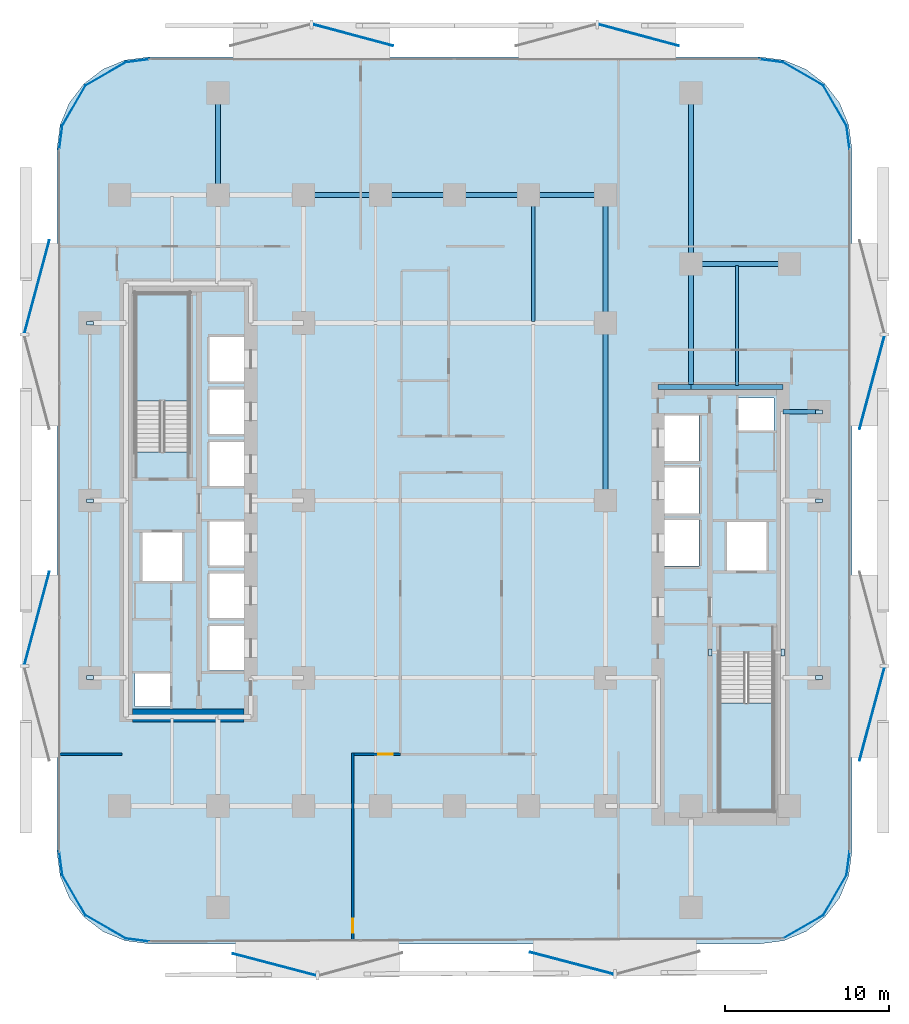
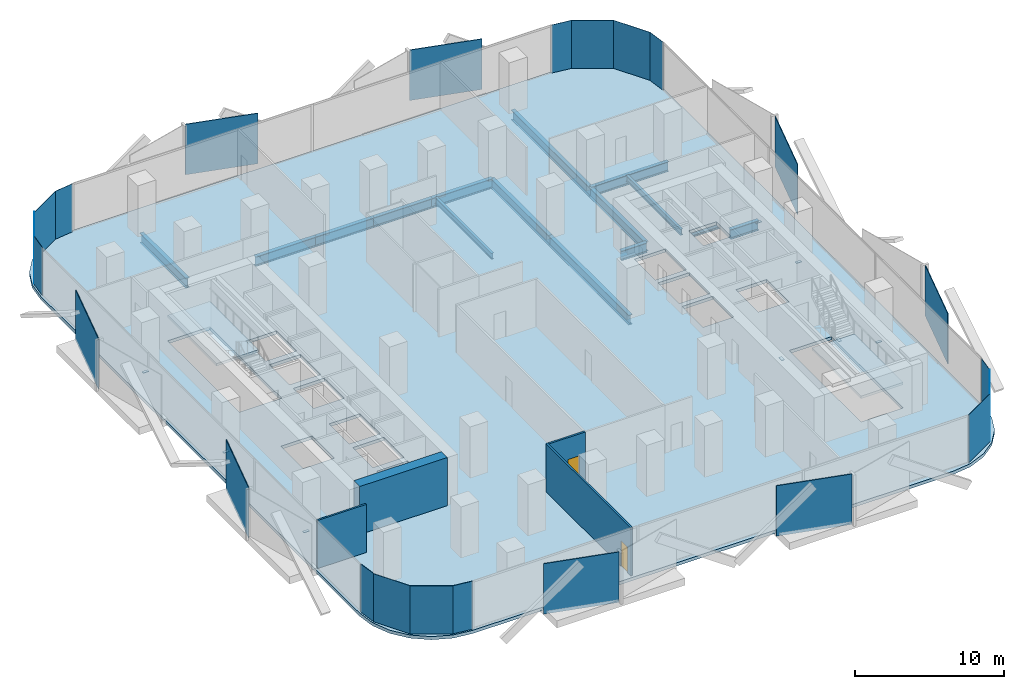
# One storey, part 2 of 15: 31 plates, 15 beams, 4 walls, 3 slabs, 2 doors, 2 openings, 2 elements without a shape of their own.
"""IFC4 building model written with IfcOpenShell, lengths in metres."""

from ifc_helpers import new_model, si_unit, direction, frame, frame_2d, origin, origin_2d, place, context, subcontext, project, spatial, polyline, rectangle, i_section, outline, extrude, material, layer, layer_set, material_profile, profile_set, type_object, element, fill, aggregate, save


model = new_model("IFC4")

# Units and contexts
model_context = context("Model", 3, precision=1e-05, world=origin(), true_north=direction((0.0, 1.0)))
body_context = subcontext(model_context, "Body", "Model", "MODEL_VIEW")
ifc_project = project(units=[si_unit("LENGTHUNIT", "METRE"), si_unit("AREAUNIT", "SQUARE_METRE"), si_unit("VOLUMEUNIT", "CUBIC_METRE"), si_unit("PLANEANGLEUNIT", "RADIAN"), si_unit("MASSUNIT", "GRAM", prefix="KILO")], contexts=[model_context])

# Site, building, storey
site_placement = place(None, origin())
site = spatial("IfcSite", under=ifc_project, at=site_placement, CompositionType="ELEMENT")
building_placement = place(site_placement, origin())
building = spatial("IfcBuilding", under=site, at=building_placement, Name="Khairoan Windgate Tower", CompositionType="ELEMENT")
storey_placement = place(building_placement, frame((0.0, 0.0, 38.60009765625)))
storey = spatial("IfcBuildingStorey", under=building, at=storey_placement, Name="L09", CompositionType="ELEMENT", Elevation=38.60009765625)

# Beams
ifc_material_1 = material(Name="Steel S355", Category="steel")
ifc_material_profile_1 = material_profile(ifc_material_1, i_section(OverallWidth=0.300048828125, OverallDepth=0.800048828125, WebThickness=0.013916015625, FlangeThickness=0.02587890625, FilletRadius=0.028076171875, at=origin_2d()))
ifc_profile_set_1 = profile_set([ifc_material_profile_1], Name="Steel S355")
beam_type_1 = type_object("IfcBeamType", Name="Beam B-G2 H800x300x14x26", PredefinedType="BEAM", material=ifc_profile_set_1)
beam_1_placement = place(storey_placement, frame((20.0, 5.39990234375, -0.66015625), z_axis=(1.0, 0.0, 0.0), x_axis=(0.0, 1.0, 0.0)))
element("IfcBeam", 1, at=beam_1_placement, inside=storey, type_object=beam_type_1, Name="L09 E-W Primary Girder 19", PredefinedType="BEAM", context=body_context, shape_type="SweptSolid", body=[
    extrude(i_section(OverallWidth=0.300048828125, OverallDepth=0.800048828125, WebThickness=0.013916015625, FlangeThickness=0.02587890625, FilletRadius=0.028076171875, at=origin_2d()), origin(), (0.0, 0.0, 1.0), 2.199951171875),
])
beam_2_placement = place(storey_placement, frame((12.39990234375, 6.89990234375, -0.66015625), z_axis=(1.0, 0.0, 0.0), x_axis=(0.0, 1.0, 0.0)))
element("IfcBeam", 2, at=beam_2_placement, inside=storey, type_object=beam_type_1, Name="L09 E-W Primary Girder 20", PredefinedType="BEAM", context=body_context, shape_type="SweptSolid", body=[
    extrude(i_section(OverallWidth=0.300048828125, OverallDepth=0.800048828125, WebThickness=0.013916015625, FlangeThickness=0.02587890625, FilletRadius=0.028076171875, at=origin_2d()), origin(), (0.0, 0.0, 1.0), 2.0),
])
beam_3_placement = place(storey_placement, frame((14.39990234375, 6.89990234375, -0.66015625), z_axis=(1.0, 0.0, 0.0), x_axis=(0.0, 1.0, 0.0)))
element("IfcBeam", 3, at=beam_3_placement, inside=storey, type_object=beam_type_1, Name="L09 E-W Primary Girder 21", PredefinedType="BEAM", context=body_context, shape_type="SweptSolid", body=[
    extrude(i_section(OverallWidth=0.300048828125, OverallDepth=0.800048828125, WebThickness=0.013916015625, FlangeThickness=0.02587890625, FilletRadius=0.028076171875, at=origin_2d()), origin(), (0.0, 0.0, 1.0), 5.60009765625),
])
beam_4_placement = place(storey_placement, frame((14.39990234375, 14.39990234375, -0.66015625), z_axis=(1.0, 0.0, 0.0), x_axis=(0.0, 1.0, 0.0)))
element("IfcBeam", 4, at=beam_4_placement, inside=storey, type_object=beam_type_1, Name="L09 E-W Primary Girder 27", PredefinedType="BEAM", context=body_context, shape_type="SweptSolid", body=[
    extrude(i_section(OverallWidth=0.300048828125, OverallDepth=0.800048828125, WebThickness=0.013916015625, FlangeThickness=0.02587890625, FilletRadius=0.028076171875, at=origin_2d()), origin(), (0.0, 0.0, 1.0), 6.0),
])
beam_5_placement = place(storey_placement, frame((-9.199951171875, 18.60009765625, -0.66015625), z_axis=(1.0, 0.0, 0.0), x_axis=(0.0, 1.0, 0.0)))
element("IfcBeam", 5, at=beam_5_placement, inside=storey, type_object=beam_type_1, Name="L09 E-W Primary Girder 30", PredefinedType="BEAM", context=body_context, shape_type="SweptSolid", body=[
    extrude(i_section(OverallWidth=0.300048828125, OverallDepth=0.800048828125, WebThickness=0.013916015625, FlangeThickness=0.02587890625, FilletRadius=0.028076171875, at=origin_2d()), origin(), (0.0, 0.0, 1.0), 4.699951171875),
])
for number, where, z_axis, x_axis, name in (
    (6, (-4.5, 18.60009765625, -0.66015625), (1.0, 0.0, 0.0), (0.0, 1.0, 0.0), "L09 E-W Primary Girder 31"),
    (7, (0.0, 18.60009765625, -0.66015625), (1.0, 0.0, 0.0), (0.0, 1.0, 0.0), "L09 E-W Primary Girder 32"),
):
    element("IfcBeam", number, at=place(storey_placement, frame(where, z_axis=z_axis, x_axis=x_axis)), inside=storey, type_object=beam_type_1, Name=name, PredefinedType="BEAM", context=body_context, shape_type="SweptSolid", body=[
        extrude(i_section(OverallWidth=0.300048828125, OverallDepth=0.800048828125, WebThickness=0.013916015625, FlangeThickness=0.02587890625, FilletRadius=0.028076171875, at=origin_2d()), origin(), (0.0, 0.0, 1.0), 4.5),
    ])
beam_6_placement = place(storey_placement, frame((4.5, 18.60009765625, -0.66015625), z_axis=(1.0, 0.0, 0.0), x_axis=(0.0, 1.0, 0.0)))
element("IfcBeam", 8, at=beam_6_placement, inside=storey, type_object=beam_type_1, Name="L09 E-W Primary Girder 33", PredefinedType="BEAM", context=body_context, shape_type="SweptSolid", body=[
    extrude(i_section(OverallWidth=0.300048828125, OverallDepth=0.800048828125, WebThickness=0.013916015625, FlangeThickness=0.02587890625, FilletRadius=0.028076171875, at=origin_2d()), origin(), (0.0, 0.0, 1.0), 4.699951171875),
])
beam_7_placement = place(storey_placement, frame((-14.39990234375, 18.60009765625, -0.66015625), z_axis=(0.0, 1.0, 0.0), x_axis=(-1.0, 0.0, 0.0)))
element("IfcBeam", 9, at=beam_7_placement, inside=storey, type_object=beam_type_1, Name="L09 N-S Primary Beam 43", PredefinedType="BEAM", context=body_context, shape_type="SweptSolid", body=[
    extrude(i_section(OverallWidth=0.300048828125, OverallDepth=0.800048828125, WebThickness=0.013916015625, FlangeThickness=0.02587890625, FilletRadius=0.028076171875, at=origin_2d()), origin(), (0.0, 0.0, 1.0), 6.199951171875),
])
beam_8_placement = place(storey_placement, frame((9.199951171875, 0.0, -0.66015625), z_axis=(0.0, 1.0, 0.0), x_axis=(-1.0, 0.0, 0.0)))
element("IfcBeam", 10, at=beam_8_placement, inside=storey, type_object=beam_type_1, Name="L09 N-S Primary Beam 52", PredefinedType="BEAM", context=body_context, shape_type="SweptSolid", body=[
    extrude(i_section(OverallWidth=0.300048828125, OverallDepth=0.800048828125, WebThickness=0.013916015625, FlangeThickness=0.02587890625, FilletRadius=0.028076171875, at=origin_2d()), origin(), (0.0, 0.0, 1.0), 10.800048828125),
])
beam_9_placement = place(storey_placement, frame((9.199951171875, 10.800048828125, -0.66015625), z_axis=(0.0, 1.0, 0.0), x_axis=(-1.0, 0.0, 0.0)))
element("IfcBeam", 11, at=beam_9_placement, inside=storey, type_object=beam_type_1, Name="L09 N-S Primary Beam 53", PredefinedType="BEAM", context=body_context, shape_type="SweptSolid", body=[
    extrude(i_section(OverallWidth=0.300048828125, OverallDepth=0.800048828125, WebThickness=0.013916015625, FlangeThickness=0.02587890625, FilletRadius=0.028076171875, at=origin_2d()), origin(), (0.0, 0.0, 1.0), 7.800048828125),
])
beam_10_placement = place(storey_placement, frame((14.39990234375, 6.89990234375, -0.66015625), z_axis=(0.0, 1.0, 0.0), x_axis=(-1.0, 0.0, 0.0)))
element("IfcBeam", 12, at=beam_10_placement, inside=storey, type_object=beam_type_1, Name="L09 N-S Primary Beam 56", PredefinedType="BEAM", context=body_context, shape_type="SweptSolid", body=[
    extrude(i_section(OverallWidth=0.300048828125, OverallDepth=0.800048828125, WebThickness=0.013916015625, FlangeThickness=0.02587890625, FilletRadius=0.028076171875, at=origin_2d()), origin(), (0.0, 0.0, 1.0), 7.5),
])
beam_11_placement = place(storey_placement, frame((14.39990234375, 14.39990234375, -0.66015625), z_axis=(0.0, 1.0, 0.0), x_axis=(-1.0, 0.0, 0.0)))
element("IfcBeam", 13, at=beam_11_placement, inside=storey, type_object=beam_type_1, Name="L09 N-S Primary Beam 57", PredefinedType="BEAM", context=body_context, shape_type="SweptSolid", body=[
    extrude(i_section(OverallWidth=0.300048828125, OverallDepth=0.800048828125, WebThickness=0.013916015625, FlangeThickness=0.02587890625, FilletRadius=0.028076171875, at=origin_2d()), origin(), (0.0, 0.0, 1.0), 10.400146484375),
])
ifc_material_2 = material(Name="Steel S355", Category="steel")
ifc_material_profile_2 = material_profile(ifc_material_2, i_section(OverallWidth=0.199951171875, OverallDepth=0.5, WebThickness=0.010009765625, FlangeThickness=0.01611328125, FilletRadius=0.02001953125, at=origin_2d()))
ifc_profile_set_2 = profile_set([ifc_material_profile_2], Name="Steel S355")
beam_type_2 = type_object("IfcBeamType", Name="Beam J-S2 H500x200x10x16", PredefinedType="JOIST", material=ifc_profile_set_2)
beam_12_placement = place(storey_placement, frame((4.800048828125, 10.889892578125, -0.510009765625), z_axis=(0.0, 1.0, 0.0), x_axis=(-1.0, 0.0, 0.0)))
element("IfcBeam", 14, at=beam_12_placement, inside=storey, type_object=beam_type_2, Name="L09 Secondary Floor Joist 10", PredefinedType="JOIST", context=body_context, shape_type="SweptSolid", body=[
    extrude(i_section(OverallWidth=0.199951171875, OverallDepth=0.5, WebThickness=0.010009765625, FlangeThickness=0.01611328125, FilletRadius=0.02001953125, at=origin_2d()), origin(), (0.0, 0.0, 1.0), 7.6201171875),
])
beam_13_placement = place(storey_placement, frame((17.199951171875, 6.989990234375, -0.510009765625), z_axis=(0.0, 1.0, 0.0), x_axis=(-1.0, 0.0, 0.0)))
element("IfcBeam", 15, at=beam_13_placement, inside=storey, type_object=beam_type_2, Name="L09 Secondary Floor Joist 11", PredefinedType="JOIST", context=body_context, shape_type="SweptSolid", body=[
    extrude(i_section(OverallWidth=0.199951171875, OverallDepth=0.5, WebThickness=0.010009765625, FlangeThickness=0.01611328125, FilletRadius=0.02001953125, at=origin_2d()), origin(), (0.0, 0.0, 1.0), 7.320068359375),
])

# Plates
ifc_material_3 = material(Name="Low-E Solar Control Laminated Glass", Category="glass")
ifc_layer_1 = layer(ifc_material_3, 0.030029296875, Name="Low-E Solar Control Laminated Glass")
ifc_layer_set_1 = layer_set([ifc_layer_1], Name="Low-E Solar Control Laminated Glass")
plate_type_1 = type_object("IfcPlateType", Name="Aerodynamic Wind-Corner Curved Glazing Plate", PredefinedType="USERDEFINED", material=ifc_layer_set_1)
plate_placement = place(storey_placement, frame((-19.302001953125, -26.766357421875, 0.0), z_axis=(0.0, 0.0, 1.0), x_axis=(-0.991444861374, 0.13052619222, 0.0)))
element("IfcPlate", 16, at=plate_placement, inside=storey, type_object=plate_type_1, Name="L09 Aerodynamic Wind-Corner Curved Glazing Panel 2", ObjectType="GLAZING PANEL", PredefinedType="USERDEFINED", context=body_context, shape_type="SweptSolid", body=[
    extrude(rectangle(XDim=1.474365234375, YDim=0.028076171875, at=origin_2d()), origin(), (0.0, 0.0, 1.0), 3.93994140625),
])
for number, where, z_axis, x_axis, name in (
    (17, (-21.236328125, -25.96630859375, 0.0), (0.0, 0.0, 1.0), (-0.866025403784, 0.5, 0.0), "L09 Aerodynamic Wind-Corner Curved Glazing Panel 3"),
    (18, (-23.16650390625, -24.03662109375, 0.0), (0.0, 0.0, 1.0), (-0.5, 0.866025403784, 0.0), "L09 Aerodynamic Wind-Corner Curved Glazing Panel 4"),
):
    element("IfcPlate", number, at=place(storey_placement, frame(where, z_axis=z_axis, x_axis=x_axis)), inside=storey, type_object=plate_type_1, Name=name, ObjectType="GLAZING PANEL", PredefinedType="USERDEFINED", context=body_context, shape_type="SweptSolid", body=[
        extrude(rectangle(XDim=2.86572265625, YDim=0.028076171875, at=origin_2d()), origin(), (0.0, 0.0, 1.0), 3.93994140625),
    ])
for number, where, z_axis, x_axis, name in (
    (19, (-23.96630859375, -22.101806640625, 0.0), (0.0, 0.0, 1.0), (-0.13052619222, 0.991444861374, 0.0), "L09 Aerodynamic Wind-Corner Curved Glazing Panel 5"),
    (20, (-23.96630859375, 22.101806640625, 0.0), (0.0, 0.0, 1.0), (0.13052619222, 0.991444861374, 0.0), "L09 Aerodynamic Wind-Corner Curved Glazing Panel 7"),
):
    element("IfcPlate", number, at=place(storey_placement, frame(where, z_axis=z_axis, x_axis=x_axis)), inside=storey, type_object=plate_type_1, Name=name, ObjectType="GLAZING PANEL", PredefinedType="USERDEFINED", context=body_context, shape_type="SweptSolid", body=[
        extrude(rectangle(XDim=1.474365234375, YDim=0.028076171875, at=origin_2d()), origin(), (0.0, 0.0, 1.0), 3.93994140625),
    ])
for number, where, z_axis, x_axis, name in (
    (21, (-23.16650390625, 24.03662109375, 0.0), (0.0, 0.0, 1.0), (0.5, 0.866025403784, 0.0), "L09 Aerodynamic Wind-Corner Curved Glazing Panel 8"),
    (22, (-21.236328125, 25.96630859375, 0.0), (0.0, 0.0, 1.0), (0.866025403784, 0.5, 0.0), "L09 Aerodynamic Wind-Corner Curved Glazing Panel 9"),
):
    element("IfcPlate", number, at=place(storey_placement, frame(where, z_axis=z_axis, x_axis=x_axis)), inside=storey, type_object=plate_type_1, Name=name, ObjectType="GLAZING PANEL", PredefinedType="USERDEFINED", context=body_context, shape_type="SweptSolid", body=[
        extrude(rectangle(XDim=2.86572265625, YDim=0.028076171875, at=origin_2d()), origin(), (0.0, 0.0, 1.0), 3.93994140625),
    ])
for number, where, z_axis, x_axis, name in (
    (23, (-19.302001953125, 26.766357421875, 0.0), (0.0, 0.0, 1.0), (0.991444861374, 0.13052619222, 0.0), "L09 Aerodynamic Wind-Corner Curved Glazing Panel 10"),
    (24, (19.302001953125, 26.766357421875, 0.0), (0.0, 0.0, 1.0), (0.991444861374, -0.13052619222, 0.0), "L09 Aerodynamic Wind-Corner Curved Glazing Panel 12"),
):
    element("IfcPlate", number, at=place(storey_placement, frame(where, z_axis=z_axis, x_axis=x_axis)), inside=storey, type_object=plate_type_1, Name=name, ObjectType="GLAZING PANEL", PredefinedType="USERDEFINED", context=body_context, shape_type="SweptSolid", body=[
        extrude(rectangle(XDim=1.474365234375, YDim=0.028076171875, at=origin_2d()), origin(), (0.0, 0.0, 1.0), 3.93994140625),
    ])
for number, where, z_axis, x_axis, name in (
    (25, (21.236328125, 25.96630859375, 0.0), (0.0, 0.0, 1.0), (0.866025403784, -0.5, 0.0), "L09 Aerodynamic Wind-Corner Curved Glazing Panel 13"),
    (26, (23.16650390625, 24.03662109375, 0.0), (0.0, 0.0, 1.0), (0.5, -0.866025403784, 0.0), "L09 Aerodynamic Wind-Corner Curved Glazing Panel 14"),
):
    element("IfcPlate", number, at=place(storey_placement, frame(where, z_axis=z_axis, x_axis=x_axis)), inside=storey, type_object=plate_type_1, Name=name, ObjectType="GLAZING PANEL", PredefinedType="USERDEFINED", context=body_context, shape_type="SweptSolid", body=[
        extrude(rectangle(XDim=2.86572265625, YDim=0.028076171875, at=origin_2d()), origin(), (0.0, 0.0, 1.0), 3.93994140625),
    ])
for number, where, z_axis, x_axis, name in (
    (27, (23.96630859375, 22.101806640625, 0.0), (0.0, 0.0, 1.0), (0.13052619222, -0.991444861374, 0.0), "L09 Aerodynamic Wind-Corner Curved Glazing Panel 15"),
    (28, (23.96630859375, -22.101806640625, 0.0), (0.0, 0.0, 1.0), (-0.13052619222, -0.991444861374, 0.0), "L09 Aerodynamic Wind-Corner Curved Glazing Panel 17"),
):
    element("IfcPlate", number, at=place(storey_placement, frame(where, z_axis=z_axis, x_axis=x_axis)), inside=storey, type_object=plate_type_1, Name=name, ObjectType="GLAZING PANEL", PredefinedType="USERDEFINED", context=body_context, shape_type="SweptSolid", body=[
        extrude(rectangle(XDim=1.474365234375, YDim=0.028076171875, at=origin_2d()), origin(), (0.0, 0.0, 1.0), 3.93994140625),
    ])
for number, where, z_axis, x_axis, name in (
    (29, (23.16650390625, -24.03662109375, 0.0), (0.0, 0.0, 1.0), (-0.5, -0.866025403784, 0.0), "L09 Aerodynamic Wind-Corner Curved Glazing Panel 18"),
    (30, (21.236328125, -25.96630859375, 0.0), (0.0, 0.0, 1.0), (-0.866025403784, -0.5, 0.0), "L09 Aerodynamic Wind-Corner Curved Glazing Panel 19"),
):
    element("IfcPlate", number, at=place(storey_placement, frame(where, z_axis=z_axis, x_axis=x_axis)), inside=storey, type_object=plate_type_1, Name=name, ObjectType="GLAZING PANEL", PredefinedType="USERDEFINED", context=body_context, shape_type="SweptSolid", body=[
        extrude(rectangle(XDim=2.86572265625, YDim=0.028076171875, at=origin_2d()), origin(), (0.0, 0.0, 1.0), 3.93994140625),
    ])
ifc_material_4 = material(Name="Steel S355", Category="steel")
ifc_layer_2 = layer(ifc_material_4, 0.0400390625, Name="Steel S355")
ifc_layer_set_2 = layer_set([ifc_layer_2], Name="Steel S355")
plate_type_2 = type_object("IfcPlateType", Name="Hollow Section End-Cap Plate PL-CAP40", PredefinedType="SHEET", material=ifc_layer_set_2)
for number, where, z_axis, x_axis, name in (
    (31, (-22.199951171875, -10.784912109375, -0.480224609375), (0.0, 0.0, 1.0), (0.0, 1.0, 0.0), "BM-SP-L09-034 steel end-cap plate 1"),
    (32, (-22.199951171875, -0.014892578125, -0.480224609375), (0.0, 0.0, 1.0), (0.0, 1.0, 0.0), "BM-SP-L09-034 steel end-cap plate 2"),
    (33, (-22.199951171875, 10.784912109375, -0.480224609375), (0.0, 0.0, 1.0), (0.0, 1.0, 0.0), "BM-SP-L09-035 steel end-cap plate 2"),
    (34, (22.199951171875, -10.784912109375, -0.480224609375), (0.0, 0.0, 1.0), (0.0, 1.0, 0.0), "BM-SP-L09-061 steel end-cap plate 1"),
    (35, (22.199951171875, -0.014892578125, -0.480224609375), (0.0, 0.0, 1.0), (0.0, 1.0, 0.0), "BM-SP-L09-061 steel end-cap plate 2"),
    (36, (22.199951171875, 5.385009765625, -0.480224609375), (0.0, 0.0, 1.0), (0.0, 1.0, 0.0), "BM-SP-L09-062 steel end-cap plate 2"),
    (37, (15.56494140625, -9.260009765625, -0.480224609375), (0.0, 0.0, 1.0), (1.0, 0.0, 0.0), "BM-ST1-TRIM-L09 steel end-cap plate 1"),
    (38, (19.985107421875, -9.260009765625, -0.480224609375), (0.0, 0.0, 1.0), (1.0, 0.0, 0.0), "BM-ST1-TRIM-L09 steel end-cap plate 2"),
):
    element("IfcPlate", number, at=place(storey_placement, frame(where, z_axis=z_axis, x_axis=x_axis)), inside=storey, type_object=plate_type_2, Name=name, PredefinedType="SHEET", context=body_context, shape_type="SweptSolid", body=[
        extrude(rectangle(XDim=0.219970703125, YDim=0.419921875, at=origin_2d()), origin(), (0.0, 0.0, 1.0), 0.0400390625),
    ])
ifc_material_5 = material(Name="Anodised Bronze Aluminium 6063-T6", Category="aluminium")
ifc_layer_3 = layer(ifc_material_5, 0.054931640625, Name="Anodised Bronze Aluminium 6063-T6")
ifc_layer_set_3 = layer_set([ifc_layer_3], Name="Anodised Bronze Aluminium 6063-T6")
plate_type_3 = type_object("IfcPlateType", Name="Perforated Bronze Solar Screen Panel BSP-1", PredefinedType="USERDEFINED", material=ifc_layer_set_3)
for number, where, z_axis, x_axis, name in (
    (39, (7.143310546875, -28.17578125, -0.10009765625), (0.0, 0.0, 1.0), (-0.967179115616, 0.254095569259, 0.0), "L09 Perforated Bronze Solar Screen Panel 25R"),
    (40, (-10.95849609375, -28.263671875, -0.10009765625), (0.0, 0.0, 1.0), (-0.967179115616, 0.254095569259, 0.0), "L09 Perforated Bronze Solar Screen Panel 26R"),
):
    element("IfcPlate", number, at=place(storey_placement, frame(where, z_axis=z_axis, x_axis=x_axis)), inside=storey, type_object=plate_type_3, Name=name, ObjectType="SCREEN", PredefinedType="USERDEFINED", context=body_context, shape_type="SweptSolid", body=[
        extrude(rectangle(XDim=5.25, YDim=0.054931640625, at=origin_2d()), origin(), (0.0, 0.0, 1.0), 4.139892578125),
    ])
for number, where, z_axis, x_axis, name in (
    (41, (-25.42236328125, -7.177734375, -0.10009765625), (0.0, 0.0, 1.0), (0.258819045103, 0.965925826289, 0.0), "L09 Perforated Bronze Solar Screen Panel 27R"),
    (42, (-25.42236328125, 13.01318359375, -0.10009765625), (0.0, 0.0, 1.0), (0.258819045103, 0.965925826289, 0.0), "L09 Perforated Bronze Solar Screen Panel 28R"),
):
    element("IfcPlate", number, at=place(storey_placement, frame(where, z_axis=z_axis, x_axis=x_axis)), inside=storey, type_object=plate_type_3, Name=name, ObjectType="SCREEN", PredefinedType="USERDEFINED", context=body_context, shape_type="SweptSolid", body=[
        extrude(rectangle(XDim=5.85498046875, YDim=0.054931640625, at=origin_2d()), origin(), (0.0, 0.0, 1.0), 4.139892578125),
    ])
for number, where, z_axis, x_axis, name in (
    (43, (-6.169921875, 28.327392578125, -0.10009765625), (0.0, 0.0, 1.0), (0.965925826289, -0.258819045103, 0.0), "L09 Perforated Bronze Solar Screen Panel 29R"),
    (44, (11.220947265625, 28.327392578125, -0.10009765625), (0.0, 0.0, 1.0), (0.965925826289, -0.258819045103, 0.0), "L09 Perforated Bronze Solar Screen Panel 30R"),
):
    element("IfcPlate", number, at=place(storey_placement, frame(where, z_axis=z_axis, x_axis=x_axis)), inside=storey, type_object=plate_type_3, Name=name, ObjectType="SCREEN", PredefinedType="USERDEFINED", context=body_context, shape_type="SweptSolid", body=[
        extrude(rectangle(XDim=5.04296875, YDim=0.054931640625, at=origin_2d()), origin(), (0.0, 0.0, 1.0), 4.139892578125),
    ])
for number, where, z_axis, x_axis, name in (
    (45, (25.42236328125, 7.177734375, -0.10009765625), (0.0, 0.0, 1.0), (-0.258819045103, -0.965925826289, 0.0), "L09 Perforated Bronze Solar Screen Panel 31R"),
    (46, (25.42236328125, -13.01318359375, -0.10009765625), (0.0, 0.0, 1.0), (-0.258819045103, -0.965925826289, 0.0), "L09 Perforated Bronze Solar Screen Panel 32R"),
):
    element("IfcPlate", number, at=place(storey_placement, frame(where, z_axis=z_axis, x_axis=x_axis)), inside=storey, type_object=plate_type_3, Name=name, ObjectType="SCREEN", PredefinedType="USERDEFINED", context=body_context, shape_type="SweptSolid", body=[
        extrude(rectangle(XDim=5.85498046875, YDim=0.054931640625, at=origin_2d()), origin(), (0.0, 0.0, 1.0), 4.139892578125),
    ])

# Stair, slab
ifc_material_6 = material(Name="Concrete C40/50", Category="concrete")
stair_type = type_object("IfcStairType", Name="Tower Core Dog-Leg Stair ST-T1 1560mm", PredefinedType="HALF_TURN_STAIR", material=ifc_material_6)
stair_1_placement = place(storey_placement, origin())
stair_1 = element("IfcStair", 47, at=stair_1_placement, inside=storey, type_object=stair_type, Name="L09 Stair ST1", PredefinedType="HALF_TURN_STAIR")
ifc_material_7 = material(Name="Concrete C40/50", Category="concrete")
ifc_layer_4 = layer(ifc_material_7, 0.199951171875, Name="Concrete C40/50")
ifc_layer_set_4 = layer_set([ifc_layer_4], Name="Concrete C40/50")
slab_type_1 = type_object("IfcSlabType", Name="Reinforced Concrete Stair Landing Slab STL-200", PredefinedType="LANDING", material=ifc_layer_set_4)
slab_1_placement = place(storey_placement, frame((0.0, 0.0, 1.89990234375)))
slab_1 = element("IfcSlab", 48, at=slab_1_placement, type_object=slab_type_1, Name="ST1 landing 1", PredefinedType="LANDING", context=body_context, shape_type="SweptSolid", body=[
    extrude(outline(polyline([(16.14990234375, -12.340087890625), (16.14990234375, -18.89990234375), (19.419921875, -18.89990234375), (19.419921875, -12.340087890625), (16.14990234375, -12.340087890625)])), origin(), (0.0, 0.0, 1.0), 0.199951171875),
])
aggregate(stair_1, [slab_1])

stair_2_placement = place(storey_placement, origin())
stair_2 = element("IfcStair", 49, at=stair_2_placement, inside=storey, type_object=stair_type, Name="L09 Stair ST2", PredefinedType="HALF_TURN_STAIR")
slab_2_placement = place(storey_placement, frame((0.0, 0.0, 1.89990234375)))
slab_2 = element("IfcSlab", 50, at=slab_2_placement, type_object=slab_type_1, Name="ST2 landing 1", PredefinedType="LANDING", context=body_context, shape_type="SweptSolid", body=[
    extrude(outline(polyline([(-16.14990234375, 6.0400390625), (-16.14990234375, 12.60009765625), (-19.419921875, 12.60009765625), (-19.419921875, 6.0400390625), (-16.14990234375, 6.0400390625)])), origin(), (0.0, 0.0, 1.0), 0.199951171875),
])
aggregate(stair_2, [slab_2])

# Slab
ifc_material_8 = material(Name="Concrete C40/50", Category="concrete")
ifc_layer_5 = layer(ifc_material_8, 0.260009765625, Name="Concrete C40/50")
ifc_layer_set_5 = layer_set([ifc_layer_5], Name="Concrete C40/50")
slab_type_2 = type_object("IfcSlabType", Name="Tower Composite Floor Slab FS2 260mm", PredefinedType="FLOOR", material=ifc_layer_set_5)
slab_3_placement = place(storey_placement, frame((0.0, 0.0, -0.260009765625)))
element("IfcSlab", 51, at=slab_3_placement, inside=storey, type_object=slab_type_2, Name="L09 Structural Floor Slab", PredefinedType="FLOOR", context=body_context, shape_type="SweptSolid", body=[
    extrude(outline(polyline([(18.60009765625, -27.0), (20.04931640625, -26.80908203125), (21.39990234375, -26.249755859375), (22.559814453125, -25.35986328125), (23.44970703125, -24.199951171875), (24.00927734375, -22.849365234375), (24.199951171875, -21.39990234375), (24.199951171875, 21.39990234375), (24.00927734375, 22.849365234375), (23.44970703125, 24.199951171875), (22.559814453125, 25.35986328125), (21.39990234375, 26.249755859375), (20.04931640625, 26.80908203125), (18.60009765625, 27.0), (-18.60009765625, 27.0), (-20.04931640625, 26.80908203125), (-21.39990234375, 26.249755859375), (-22.559814453125, 25.35986328125), (-23.44970703125, 24.199951171875), (-24.00927734375, 22.849365234375), (-24.199951171875, 21.39990234375), (-24.199951171875, -21.39990234375), (-24.00927734375, -22.849365234375), (-23.44970703125, -24.199951171875), (-22.559814453125, -25.35986328125), (-21.39990234375, -26.249755859375), (-20.04931640625, -26.80908203125), (-18.60009765625, -27.0), (18.60009765625, -27.0)]), holes=[polyline([(16.14990234375, -9.260009765625), (16.14990234375, -18.89990234375), (19.419921875, -18.89990234375), (19.419921875, -9.260009765625), (16.14990234375, -9.260009765625)]), polyline([(-16.14990234375, 2.9599609375), (-16.14990234375, 12.60009765625), (-19.419921875, 12.60009765625), (-19.419921875, 2.9599609375), (-16.14990234375, 2.9599609375)]), polyline([(-14.89990234375, 7.25), (-12.5, 7.25), (-12.5, 9.949951171875), (-14.89990234375, 9.949951171875), (-14.89990234375, 7.25)]), polyline([(-14.89990234375, 4.050048828125), (-12.5, 4.050048828125), (-12.5, 6.75), (-14.89990234375, 6.75), (-14.89990234375, 4.050048828125)]), polyline([(-14.89990234375, 0.85009765625), (-12.5, 0.85009765625), (-12.5, 3.550048828125), (-14.89990234375, 3.550048828125), (-14.89990234375, 0.85009765625)]), polyline([(-14.89990234375, -3.949951171875), (-12.5, -3.949951171875), (-12.5, -1.25), (-14.89990234375, -1.25), (-14.89990234375, -3.949951171875)]), polyline([(-14.89990234375, -7.14990234375), (-12.5, -7.14990234375), (-12.5, -4.449951171875), (-14.89990234375, -4.449951171875), (-14.89990234375, -7.14990234375)]), polyline([(-14.89990234375, -10.35009765625), (-12.5, -10.35009765625), (-12.5, -7.64990234375), (-14.89990234375, -7.64990234375), (-14.89990234375, -10.35009765625)]), polyline([(12.5, 2.39990234375), (14.89990234375, 2.39990234375), (14.89990234375, 5.199951171875), (12.5, 5.199951171875), (12.5, 2.39990234375)]), polyline([(12.5, -0.800048828125), (14.89990234375, -0.800048828125), (14.89990234375, 2.0), (12.5, 2.0), (12.5, -0.800048828125)]), polyline([(12.5, -4.0), (14.89990234375, -4.0), (14.89990234375, -1.199951171875), (12.5, -1.199951171875), (12.5, -4.0)]), polyline([(16.60009765625, -4.300048828125), (19.0, -4.300048828125), (19.0, -1.300048828125), (16.60009765625, -1.300048828125), (16.60009765625, -4.300048828125)]), polyline([(-19.0, -4.89990234375), (-16.60009765625, -4.89990234375), (-16.60009765625, -1.89990234375), (-19.0, -1.89990234375), (-19.0, -4.89990234375)]), polyline([(-19.449951171875, -12.550048828125), (-17.31005859375, -12.550048828125), (-17.31005859375, -10.550048828125), (-19.449951171875, -10.550048828125), (-19.449951171875, -12.550048828125)]), polyline([(17.31005859375, 4.25), (19.449951171875, 4.25), (19.449951171875, 6.25), (17.31005859375, 6.25), (17.31005859375, 4.25)])]), origin(), (0.0, 0.0, 1.0), 0.260009765625),
])

# Wall
ifc_material_9 = material(Name="Acoustic Fire-Rated Gypsum Partition", Category="gypsum")
ifc_layer_6 = layer(ifc_material_9, 0.139892578125, Name="Acoustic Fire-Rated Gypsum Partition")
ifc_layer_set_6 = layer_set([ifc_layer_6], Name="Acoustic Fire-Rated Gypsum Partition")
wall_type_1 = type_object("IfcWallType", Name="Inter-Tenancy Compartment Wall", PredefinedType="PARTITIONING", material=ifc_layer_set_6)
wall_1_placement = place(storey_placement, frame((-24.054931640625, -15.4599609375, 0.0), z_axis=(0.0, 0.0, 1.0), x_axis=(1.0, 0.0, 0.0)))
element("IfcWall", 52, at=wall_1_placement, inside=storey, type_object=wall_type_1, Name="L09 Interior Partition 024", PredefinedType="PARTITIONING", context=body_context, shape_type="SweptSolid", body=[
    extrude(rectangle(XDim=3.81494140625, YDim=0.139892578125, at=frame_2d((1.907470703125, 0.0))), origin(), (0.0, 0.0, 1.0), 3.93994140625),
])

# Wall, opening, door
wall_2_placement = place(storey_placement, frame((-6.18798828125, -26.794921875, 0.0), z_axis=(0.0, 0.0, 1.0), x_axis=(0.0, 1.0, 0.0)))
wall_2 = element("IfcWall", 53, at=wall_2_placement, inside=storey, type_object=wall_type_1, Name="L09 Interior Partition 030", PredefinedType="PARTITIONING", context=body_context, shape_type="SweptSolid", body=[
    extrude(rectangle(XDim=11.409912109375, YDim=0.139892578125, at=frame_2d((5.705078125, 0.0))), origin(), (0.0, 0.0, 1.0), 3.93994140625),
])
opening_1_placement = place(wall_2_placement, frame((0.4599609375, 0.0, 0.0)))
opening_1 = element("IfcOpeningElement", 54, at=opening_1_placement, cuts=wall_2, Name="Opening FD-SRV", PredefinedType="OPENING", context=body_context, shape_type="SweptSolid", body=[
    extrude(rectangle(XDim=0.85009765625, YDim=2.10009765625, at=frame_2d((0.425048828125, 1.050048828125))), frame((0.0, 0.079833984375, 0.0), z_axis=(0.0, -1.0, 0.0), x_axis=(1.0, 0.0, 0.0)), (0.0, 0.0, 1.0), 0.159912109375),
])
ifc_material_10 = material(Name="Steel S355", Category="steel")
door_type_1 = type_object("IfcDoorType", Name="Core Service and Riser Fire Door FD-SRV 850x2100", OperationType="NOTDEFINED", PredefinedType="DOOR", material=ifc_material_10)
door_1_placement = place(opening_1_placement, origin())
door_1 = element("IfcDoor", 55, at=door_1_placement, inside=storey, type_object=door_type_1, Name="L09 L09-42-L09-43 Door", OperationType="SINGLE_SWING_LEFT", OverallHeight=2.10009765625, OverallWidth=0.85009765625, PredefinedType="DOOR", context=body_context, shape_type="SweptSolid", body=[
    extrude(rectangle(XDim=0.85009765625, YDim=2.10009765625, at=frame_2d((0.425048828125, 1.050048828125))), frame((0.0, 0.02490234375, 0.0), z_axis=(0.0, -1.0, 0.0), x_axis=(1.0, 0.0, 0.0)), (0.0, 0.0, 1.0), 0.050048828125),
])
fill(opening_1, door_1)

ifc_material_11 = material(Name="Acoustic Fire-Rated Gypsum Partition", Category="gypsum")
ifc_layer_7 = layer(ifc_material_11, 0.14990234375, Name="Acoustic Fire-Rated Gypsum Partition")
ifc_layer_set_7 = layer_set([ifc_layer_7], Name="Acoustic Fire-Rated Gypsum Partition")
wall_type_2 = type_object("IfcWallType", Name="Rated Corridor Partition Wall", PredefinedType="PARTITIONING", material=ifc_layer_set_7)
wall_3_placement = place(storey_placement, frame((-6.117919921875, -15.4599609375, 0.0), z_axis=(0.0, 0.0, 1.0), x_axis=(1.0, 0.0, 0.0)))
wall_3 = element("IfcWall", 56, at=wall_3_placement, inside=storey, type_object=wall_type_2, Name="L09 Interior Partition 015", PredefinedType="PARTITIONING", context=body_context, shape_type="SweptSolid", body=[
    extrude(rectangle(XDim=2.8330078125, YDim=0.14990234375, at=frame_2d((1.41650390625, 0.0))), origin(), (0.0, 0.0, 1.0), 3.93994140625),
])
opening_2_placement = place(wall_3_placement, frame((1.472900390625, 0.0, 0.0)))
opening_2 = element("IfcOpeningElement", 57, at=opening_2_placement, cuts=wall_3, Name="Opening FD-ENT", PredefinedType="OPENING", context=body_context, shape_type="SweptSolid", body=[
    extrude(rectangle(XDim=0.89990234375, YDim=2.14990234375, at=frame_2d((0.449951171875, 1.074951171875))), frame((0.0, 0.0849609375, 0.0), z_axis=(0.0, -1.0, 0.0), x_axis=(1.0, 0.0, 0.0)), (0.0, 0.0, 1.0), 0.169921875),
])
ifc_material_12 = material(Name="Timber Fire-Rated Core", Category="wood")
door_type_2 = type_object("IfcDoorType", Name="Unit and Office Fire Entrance Door FD-ENT 900x2150", OperationType="NOTDEFINED", PredefinedType="DOOR", material=ifc_material_12)
door_2_placement = place(opening_2_placement, origin())
door_2 = element("IfcDoor", 58, at=door_2_placement, inside=storey, type_object=door_type_2, Name="L09 L09-32-L09-43 Door", OperationType="SINGLE_SWING_RIGHT", OverallHeight=2.14990234375, OverallWidth=0.89990234375, PredefinedType="DOOR", context=body_context, shape_type="SweptSolid", body=[
    extrude(rectangle(XDim=0.89990234375, YDim=2.14990234375, at=frame_2d((0.449951171875, 1.074951171875))), frame((0.0, 0.02490234375, 0.0), z_axis=(0.0, -1.0, 0.0), x_axis=(1.0, 0.0, 0.0)), (0.0, 0.0, 1.0), 0.050048828125),
])
fill(opening_2, door_2)

# Wall
ifc_material_13 = material(Name="Concrete C70/85", Category="concrete")
ifc_layer_8 = layer(ifc_material_13, 0.800048828125, Name="Concrete C70/85")
ifc_layer_set_8 = layer_set([ifc_layer_8], Name="Concrete C70/85")
wall_type_3 = type_object("IfcWallType", Name="Shear Wall CW-W1 800mm", PredefinedType="SHEAR", material=ifc_layer_set_8)
wall_4_placement = place(storey_placement, frame((-19.60009765625, -13.10009765625, 0.0), z_axis=(0.0, 0.0, 1.0), x_axis=(1.0, 0.0, 0.0)))
element("IfcWall", 59, at=wall_4_placement, inside=storey, type_object=wall_type_3, Name="W Core South Shear Wall L09", PredefinedType="SHEAR", context=body_context, shape_type="SweptSolid", body=[
    extrude(rectangle(XDim=6.800048828125, YDim=0.800048828125, at=frame_2d((3.39990234375, 0.0))), origin(), (0.0, 0.0, 1.0), 3.93994140625),
])

save(model, "model.ifc")
